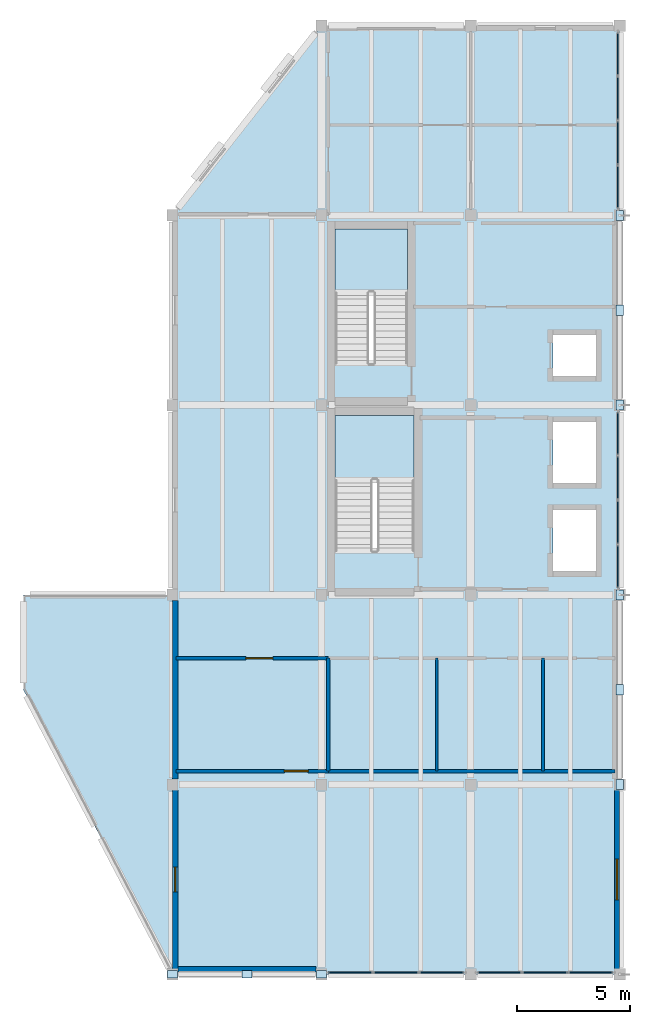
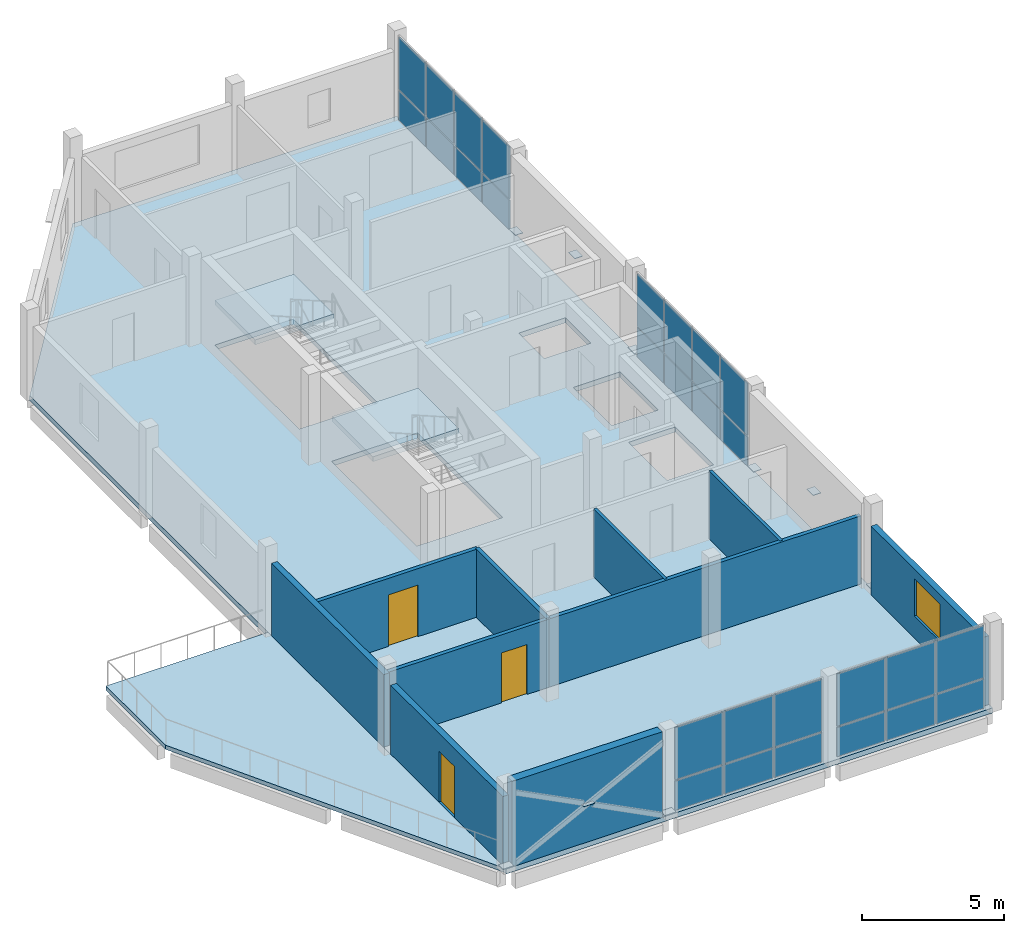
# One storey, part 4 of 9: 37 plates, 10 walls, 4 slabs, 3 doors, 1 window, 4 openings, 6 elements without a shape of their own.
"""IFC4 building model written with IfcOpenShell, lengths in metres."""

from ifc_helpers import new_model, si_unit, direction, frame, frame_2d, origin, origin_2d, place, context, subcontext, project, spatial, polyline, rectangle, outline, extrude, material, layer, layer_set, type_object, element, fill, aggregate, save


model = new_model("IFC4")

# Units and contexts
model_context = context("Model", 3, precision=1e-05, world=origin(), true_north=direction((0.0, 1.0)))
body_context = subcontext(model_context, "Body", "Model", "MODEL_VIEW")
ifc_project = project(units=[si_unit("LENGTHUNIT", "METRE"), si_unit("AREAUNIT", "SQUARE_METRE"), si_unit("VOLUMEUNIT", "CUBIC_METRE"), si_unit("PLANEANGLEUNIT", "RADIAN"), si_unit("MASSUNIT", "GRAM", prefix="KILO")], contexts=[model_context])

# Site, building, storey
site_placement = place(None, origin())
site = spatial("IfcSite", under=ifc_project, at=site_placement, CompositionType="ELEMENT")
building_placement = place(site_placement, origin())
building = spatial("IfcBuilding", under=site, at=building_placement, Name="Qaldarim Faculty of Natural and Applied Sciences", CompositionType="ELEMENT")
storey_placement = place(building_placement, frame((0.0, 0.0, 43.199951171875)))
storey = spatial("IfcBuildingStorey", under=building, at=storey_placement, Name="L10", CompositionType="ELEMENT", Elevation=43.199951171875)

# Plates
ifc_material_1 = material(Name="Structural steel S355", Category="steel")
ifc_layer_1 = layer(ifc_material_1, 0.02001953125)
ifc_layer_set_1 = layer_set([ifc_layer_1], Name="Structural steel S355")
plate_type_1 = type_object("IfcPlateType", Name="GussetPlate-S355-450x320x20", PredefinedType="SHEET", material=ifc_layer_set_1)
for number, where, z_axis, x_axis, name in (
    (1, (161.699951171875, 0.0, 1.679931640625), (0.0, 0.0, 1.0), (1.0, 0.0, 0.0), "South diagrid L10 X-crossing gusset plate"),
    (2, (158.39990234375, 0.0, 0.14013671875), (0.0, 0.0, 1.0), (1.0, 0.0, 0.0), "South diagrid L10 base gusset BL"),
    (3, (165.0, 0.0, 0.14013671875), (0.0, 0.0, 1.0), (1.0, 0.0, 0.0), "South diagrid L10 base gusset BR"),
    (4, (178.199951171875, 12.60009765625, 1.679931640625), (0.0, 0.0, 1.0), (0.0, 1.0, 0.0), "East diagrid L10 X-crossing gusset plate"),
    (5, (178.199951171875, 8.39990234375, 0.14013671875), (0.0, 0.0, 1.0), (0.0, 1.0, 0.0), "East diagrid L10 base gusset BL"),
    (6, (178.199951171875, 16.800048828125, 0.14013671875), (0.0, 0.0, 1.0), (0.0, 1.0, 0.0), "East diagrid L10 base gusset BR"),
    (7, (178.199951171875, 29.39990234375, 1.679931640625), (0.0, 0.0, 1.0), (0.0, 1.0, 0.0), "Upper east diagrid L10 X-crossing gusset plate"),
    (8, (178.199951171875, 25.199951171875, 0.14013671875), (0.0, 0.0, 1.0), (0.0, 1.0, 0.0), "Upper east diagrid L10 base gusset BL"),
    (9, (178.199951171875, 33.60009765625, 0.14013671875), (0.0, 0.0, 1.0), (0.0, 1.0, 0.0), "Upper east diagrid L10 base gusset BR"),
):
    element("IfcPlate", number, at=place(storey_placement, frame(where, z_axis=z_axis, x_axis=x_axis)), inside=storey, type_object=plate_type_1, Name=name, PredefinedType="SHEET", context=body_context, shape_type="SweptSolid", body=[
        extrude(rectangle(XDim=0.449951171875, YDim=0.320068359375, at=origin_2d()), origin(), (0.0, 0.0, 1.0), 0.02001953125),
    ])

# Curtain wall, plates
ifc_material_2 = material(Name="Anodised aluminium AW-6063", Category="aluminium")
curtain_wall_type = type_object("IfcCurtainWallType", Name="CurtainWallSystem-M1950", PredefinedType="USERDEFINED", material=ifc_material_2)
curtain_wall_1_placement = place(storey_placement, origin())
curtain_wall_1 = element("IfcCurtainWall", 10, at=curtain_wall_1_placement, inside=storey, type_object=curtain_wall_type, Name="Curtain wall CW-L10-S-X26Y01", ObjectType="UNITISED FACADE", PredefinedType="USERDEFINED")
ifc_material_3 = material(Name="White architectural precast concrete C40/50", Category="concrete")
ifc_layer_2 = layer(ifc_material_3, 0.050048828125)
ifc_layer_set_2 = layer_set([ifc_layer_2], Name="White architectural precast concrete C40/50")
plate_type_2 = type_object("IfcPlateType", Name="LimestoneSpandrelPanel-50", PredefinedType="CURTAIN_PANEL", material=ifc_layer_set_2)
plate_1_placement = place(storey_placement, frame((166.2783203125, 0.080078125, 0.06005859375), z_axis=(0.0, 0.0, 1.0), x_axis=(1.0, 0.0, 0.0)))
plate_1 = element("IfcPlate", 11, at=plate_1_placement, type_object=plate_type_2, Name="Glazed panel 1-1 of CW-L10-S-X26Y01", PredefinedType="CURTAIN_PANEL", context=body_context, shape_type="SweptSolid", body=[
    extrude(rectangle(XDim=1.94677734375, YDim=0.050048828125, at=origin_2d()), origin(), (0.0, 0.0, 1.0), 1.260009765625),
])
plate_2_placement = place(storey_placement, frame((166.2783203125, 0.080078125, 1.3798828125), z_axis=(0.0, 0.0, 1.0), x_axis=(1.0, 0.0, 0.0)))
plate_2 = element("IfcPlate", 12, at=plate_2_placement, type_object=plate_type_2, Name="Glazed panel 1-2 of CW-L10-S-X26Y01", PredefinedType="CURTAIN_PANEL", context=body_context, shape_type="SweptSolid", body=[
    extrude(rectangle(XDim=1.94677734375, YDim=0.050048828125, at=origin_2d()), origin(), (0.0, 0.0, 1.0), 2.239990234375),
])
plate_3_placement = place(storey_placement, frame((168.300048828125, 0.080078125, 0.06005859375), z_axis=(0.0, 0.0, 1.0), x_axis=(1.0, 0.0, 0.0)))
plate_3 = element("IfcPlate", 13, at=plate_3_placement, type_object=plate_type_2, Name="Glazed panel 2-1 of CW-L10-S-X26Y01", PredefinedType="CURTAIN_PANEL", context=body_context, shape_type="SweptSolid", body=[
    extrude(rectangle(XDim=1.976806640625, YDim=0.050048828125, at=origin_2d()), origin(), (0.0, 0.0, 1.0), 1.260009765625),
])
plate_4_placement = place(storey_placement, frame((168.300048828125, 0.080078125, 1.3798828125), z_axis=(0.0, 0.0, 1.0), x_axis=(1.0, 0.0, 0.0)))
plate_4 = element("IfcPlate", 14, at=plate_4_placement, type_object=plate_type_2, Name="Glazed panel 2-2 of CW-L10-S-X26Y01", PredefinedType="CURTAIN_PANEL", context=body_context, shape_type="SweptSolid", body=[
    extrude(rectangle(XDim=1.976806640625, YDim=0.050048828125, at=origin_2d()), origin(), (0.0, 0.0, 1.0), 2.239990234375),
])
plate_5_placement = place(storey_placement, frame((170.32177734375, 0.080078125, 0.06005859375), z_axis=(0.0, 0.0, 1.0), x_axis=(1.0, 0.0, 0.0)))
plate_5 = element("IfcPlate", 15, at=plate_5_placement, type_object=plate_type_2, Name="Glazed panel 3-1 of CW-L10-S-X26Y01", PredefinedType="CURTAIN_PANEL", context=body_context, shape_type="SweptSolid", body=[
    extrude(rectangle(XDim=1.94677734375, YDim=0.050048828125, at=origin_2d()), origin(), (0.0, 0.0, 1.0), 1.260009765625),
])
plate_6_placement = place(storey_placement, frame((170.32177734375, 0.080078125, 1.3798828125), z_axis=(0.0, 0.0, 1.0), x_axis=(1.0, 0.0, 0.0)))
plate_6 = element("IfcPlate", 16, at=plate_6_placement, type_object=plate_type_2, Name="Glazed panel 3-2 of CW-L10-S-X26Y01", PredefinedType="CURTAIN_PANEL", context=body_context, shape_type="SweptSolid", body=[
    extrude(rectangle(XDim=1.94677734375, YDim=0.050048828125, at=origin_2d()), origin(), (0.0, 0.0, 1.0), 2.239990234375),
])
aggregate(curtain_wall_1, [plate_1, plate_2, plate_3, plate_4, plate_5, plate_6])

curtain_wall_2_placement = place(storey_placement, origin())
curtain_wall_2 = element("IfcCurtainWall", 17, at=curtain_wall_2_placement, inside=storey, type_object=curtain_wall_type, Name="Curtain wall CW-L10-S-X27Y01", ObjectType="UNITISED FACADE", PredefinedType="USERDEFINED")
plate_7_placement = place(storey_placement, frame((172.87841796875, 0.080078125, 0.06005859375), z_axis=(0.0, 0.0, 1.0), x_axis=(1.0, 0.0, 0.0)))
plate_7 = element("IfcPlate", 18, at=plate_7_placement, type_object=plate_type_2, Name="Glazed panel 1-1 of CW-L10-S-X27Y01", PredefinedType="CURTAIN_PANEL", context=body_context, shape_type="SweptSolid", body=[
    extrude(rectangle(XDim=1.94677734375, YDim=0.050048828125, at=origin_2d()), origin(), (0.0, 0.0, 1.0), 1.260009765625),
])
plate_8_placement = place(storey_placement, frame((172.87841796875, 0.080078125, 1.3798828125), z_axis=(0.0, 0.0, 1.0), x_axis=(1.0, 0.0, 0.0)))
plate_8 = element("IfcPlate", 19, at=plate_8_placement, type_object=plate_type_2, Name="Glazed panel 1-2 of CW-L10-S-X27Y01", PredefinedType="CURTAIN_PANEL", context=body_context, shape_type="SweptSolid", body=[
    extrude(rectangle(XDim=1.94677734375, YDim=0.050048828125, at=origin_2d()), origin(), (0.0, 0.0, 1.0), 2.239990234375),
])
plate_9_placement = place(storey_placement, frame((174.89990234375, 0.080078125, 0.06005859375), z_axis=(0.0, 0.0, 1.0), x_axis=(1.0, 0.0, 0.0)))
plate_9 = element("IfcPlate", 20, at=plate_9_placement, type_object=plate_type_2, Name="Glazed panel 2-1 of CW-L10-S-X27Y01", PredefinedType="CURTAIN_PANEL", context=body_context, shape_type="SweptSolid", body=[
    extrude(rectangle(XDim=1.976806640625, YDim=0.050048828125, at=origin_2d()), origin(), (0.0, 0.0, 1.0), 1.260009765625),
])
plate_10_placement = place(storey_placement, frame((174.89990234375, 0.080078125, 1.3798828125), z_axis=(0.0, 0.0, 1.0), x_axis=(1.0, 0.0, 0.0)))
plate_10 = element("IfcPlate", 21, at=plate_10_placement, type_object=plate_type_2, Name="Glazed panel 2-2 of CW-L10-S-X27Y01", PredefinedType="CURTAIN_PANEL", context=body_context, shape_type="SweptSolid", body=[
    extrude(rectangle(XDim=1.976806640625, YDim=0.050048828125, at=origin_2d()), origin(), (0.0, 0.0, 1.0), 2.239990234375),
])
plate_11_placement = place(storey_placement, frame((176.921630859375, 0.080078125, 0.06005859375), z_axis=(0.0, 0.0, 1.0), x_axis=(1.0, 0.0, 0.0)))
plate_11 = element("IfcPlate", 22, at=plate_11_placement, type_object=plate_type_2, Name="Glazed panel 3-1 of CW-L10-S-X27Y01", PredefinedType="CURTAIN_PANEL", context=body_context, shape_type="SweptSolid", body=[
    extrude(rectangle(XDim=1.94677734375, YDim=0.050048828125, at=origin_2d()), origin(), (0.0, 0.0, 1.0), 1.260009765625),
])
plate_12_placement = place(storey_placement, frame((176.921630859375, 0.080078125, 1.3798828125), z_axis=(0.0, 0.0, 1.0), x_axis=(1.0, 0.0, 0.0)))
plate_12 = element("IfcPlate", 23, at=plate_12_placement, type_object=plate_type_2, Name="Glazed panel 3-2 of CW-L10-S-X27Y01", PredefinedType="CURTAIN_PANEL", context=body_context, shape_type="SweptSolid", body=[
    extrude(rectangle(XDim=1.94677734375, YDim=0.050048828125, at=origin_2d()), origin(), (0.0, 0.0, 1.0), 2.239990234375),
])
aggregate(curtain_wall_2, [plate_7, plate_8, plate_9, plate_10, plate_11, plate_12])

curtain_wall_3_placement = place(storey_placement, origin())
curtain_wall_3 = element("IfcCurtainWall", 24, at=curtain_wall_3_placement, inside=storey, type_object=curtain_wall_type, Name="Curtain wall CW-L10-E-X27Y03", ObjectType="UNITISED FACADE", PredefinedType="USERDEFINED")
plate_13_placement = place(storey_placement, frame((178.1201171875, 18.048828125, 0.06005859375), z_axis=(0.0, 0.0, 1.0), x_axis=(0.0, 1.0, 0.0)))
plate_13 = element("IfcPlate", 25, at=plate_13_placement, type_object=plate_type_2, Name="Glazed panel 1-1 of CW-L10-E-X27Y03", PredefinedType="CURTAIN_PANEL", context=body_context, shape_type="SweptSolid", body=[
    extrude(rectangle(XDim=1.887451171875, YDim=0.050048828125, at=origin_2d()), origin(), (0.0, 0.0, 1.0), 1.260009765625),
])
plate_14_placement = place(storey_placement, frame((178.1201171875, 18.048828125, 1.3798828125), z_axis=(0.0, 0.0, 1.0), x_axis=(0.0, 1.0, 0.0)))
plate_14 = element("IfcPlate", 26, at=plate_14_placement, type_object=plate_type_2, Name="Glazed panel 1-2 of CW-L10-E-X27Y03", PredefinedType="CURTAIN_PANEL", context=body_context, shape_type="SweptSolid", body=[
    extrude(rectangle(XDim=1.887451171875, YDim=0.050048828125, at=origin_2d()), origin(), (0.0, 0.0, 1.0), 2.239990234375),
])
plate_15_placement = place(storey_placement, frame((178.1201171875, 20.01123046875, 0.06005859375), z_axis=(0.0, 0.0, 1.0), x_axis=(0.0, 1.0, 0.0)))
plate_15 = element("IfcPlate", 27, at=plate_15_placement, type_object=plate_type_2, Name="Glazed panel 2-1 of CW-L10-E-X27Y03", PredefinedType="CURTAIN_PANEL", context=body_context, shape_type="SweptSolid", body=[
    extrude(rectangle(XDim=1.91748046875, YDim=0.050048828125, at=origin_2d()), origin(), (0.0, 0.0, 1.0), 1.260009765625),
])
plate_16_placement = place(storey_placement, frame((178.1201171875, 20.01123046875, 1.3798828125), z_axis=(0.0, 0.0, 1.0), x_axis=(0.0, 1.0, 0.0)))
plate_16 = element("IfcPlate", 28, at=plate_16_placement, type_object=plate_type_2, Name="Glazed panel 2-2 of CW-L10-E-X27Y03", PredefinedType="CURTAIN_PANEL", context=body_context, shape_type="SweptSolid", body=[
    extrude(rectangle(XDim=1.91748046875, YDim=0.050048828125, at=origin_2d()), origin(), (0.0, 0.0, 1.0), 2.239990234375),
])
plate_17_placement = place(storey_placement, frame((178.1201171875, 21.98876953125, 0.06005859375), z_axis=(0.0, 0.0, 1.0), x_axis=(0.0, 1.0, 0.0)))
plate_17 = element("IfcPlate", 29, at=plate_17_placement, type_object=plate_type_2, Name="Glazed panel 3-1 of CW-L10-E-X27Y03", PredefinedType="CURTAIN_PANEL", context=body_context, shape_type="SweptSolid", body=[
    extrude(rectangle(XDim=1.91748046875, YDim=0.050048828125, at=origin_2d()), origin(), (0.0, 0.0, 1.0), 1.260009765625),
])
plate_18_placement = place(storey_placement, frame((178.1201171875, 21.98876953125, 1.3798828125), z_axis=(0.0, 0.0, 1.0), x_axis=(0.0, 1.0, 0.0)))
plate_18 = element("IfcPlate", 30, at=plate_18_placement, type_object=plate_type_2, Name="Glazed panel 3-2 of CW-L10-E-X27Y03", PredefinedType="CURTAIN_PANEL", context=body_context, shape_type="SweptSolid", body=[
    extrude(rectangle(XDim=1.91748046875, YDim=0.050048828125, at=origin_2d()), origin(), (0.0, 0.0, 1.0), 2.239990234375),
])
plate_19_placement = place(storey_placement, frame((178.1201171875, 23.951171875, 0.06005859375), z_axis=(0.0, 0.0, 1.0), x_axis=(0.0, 1.0, 0.0)))
plate_19 = element("IfcPlate", 31, at=plate_19_placement, type_object=plate_type_2, Name="Glazed panel 4-1 of CW-L10-E-X27Y03", PredefinedType="CURTAIN_PANEL", context=body_context, shape_type="SweptSolid", body=[
    extrude(rectangle(XDim=1.887451171875, YDim=0.050048828125, at=origin_2d()), origin(), (0.0, 0.0, 1.0), 1.260009765625),
])
plate_20_placement = place(storey_placement, frame((178.1201171875, 23.951171875, 1.3798828125), z_axis=(0.0, 0.0, 1.0), x_axis=(0.0, 1.0, 0.0)))
plate_20 = element("IfcPlate", 32, at=plate_20_placement, type_object=plate_type_2, Name="Glazed panel 4-2 of CW-L10-E-X27Y03", PredefinedType="CURTAIN_PANEL", context=body_context, shape_type="SweptSolid", body=[
    extrude(rectangle(XDim=1.887451171875, YDim=0.050048828125, at=origin_2d()), origin(), (0.0, 0.0, 1.0), 2.239990234375),
])
aggregate(curtain_wall_3, [plate_13, plate_14, plate_15, plate_16, plate_17, plate_18, plate_19, plate_20])

curtain_wall_4_placement = place(storey_placement, origin())
curtain_wall_4 = element("IfcCurtainWall", 33, at=curtain_wall_4_placement, inside=storey, type_object=curtain_wall_type, Name="Curtain wall CW-L10-E-X27Y05", ObjectType="UNITISED FACADE", PredefinedType="USERDEFINED")
plate_21_placement = place(storey_placement, frame((178.1201171875, 34.848876953125, 0.06005859375), z_axis=(0.0, 0.0, 1.0), x_axis=(0.0, 1.0, 0.0)))
plate_21 = element("IfcPlate", 34, at=plate_21_placement, type_object=plate_type_2, Name="Glazed panel 1-1 of CW-L10-E-X27Y05", PredefinedType="CURTAIN_PANEL", context=body_context, shape_type="SweptSolid", body=[
    extrude(rectangle(XDim=1.887451171875, YDim=0.050048828125, at=origin_2d()), origin(), (0.0, 0.0, 1.0), 1.260009765625),
])
plate_22_placement = place(storey_placement, frame((178.1201171875, 34.848876953125, 1.3798828125), z_axis=(0.0, 0.0, 1.0), x_axis=(0.0, 1.0, 0.0)))
plate_22 = element("IfcPlate", 35, at=plate_22_placement, type_object=plate_type_2, Name="Glazed panel 1-2 of CW-L10-E-X27Y05", PredefinedType="CURTAIN_PANEL", context=body_context, shape_type="SweptSolid", body=[
    extrude(rectangle(XDim=1.887451171875, YDim=0.050048828125, at=origin_2d()), origin(), (0.0, 0.0, 1.0), 2.239990234375),
])
plate_23_placement = place(storey_placement, frame((178.1201171875, 36.811279296875, 0.06005859375), z_axis=(0.0, 0.0, 1.0), x_axis=(0.0, 1.0, 0.0)))
plate_23 = element("IfcPlate", 36, at=plate_23_placement, type_object=plate_type_2, Name="Glazed panel 2-1 of CW-L10-E-X27Y05", PredefinedType="CURTAIN_PANEL", context=body_context, shape_type="SweptSolid", body=[
    extrude(rectangle(XDim=1.91748046875, YDim=0.050048828125, at=origin_2d()), origin(), (0.0, 0.0, 1.0), 1.260009765625),
])
plate_24_placement = place(storey_placement, frame((178.1201171875, 36.811279296875, 1.3798828125), z_axis=(0.0, 0.0, 1.0), x_axis=(0.0, 1.0, 0.0)))
plate_24 = element("IfcPlate", 37, at=plate_24_placement, type_object=plate_type_2, Name="Glazed panel 2-2 of CW-L10-E-X27Y05", PredefinedType="CURTAIN_PANEL", context=body_context, shape_type="SweptSolid", body=[
    extrude(rectangle(XDim=1.91748046875, YDim=0.050048828125, at=origin_2d()), origin(), (0.0, 0.0, 1.0), 2.239990234375),
])
plate_25_placement = place(storey_placement, frame((178.1201171875, 38.788818359375, 0.06005859375), z_axis=(0.0, 0.0, 1.0), x_axis=(0.0, 1.0, 0.0)))
plate_25 = element("IfcPlate", 38, at=plate_25_placement, type_object=plate_type_2, Name="Glazed panel 3-1 of CW-L10-E-X27Y05", PredefinedType="CURTAIN_PANEL", context=body_context, shape_type="SweptSolid", body=[
    extrude(rectangle(XDim=1.91748046875, YDim=0.050048828125, at=origin_2d()), origin(), (0.0, 0.0, 1.0), 1.260009765625),
])
plate_26_placement = place(storey_placement, frame((178.1201171875, 38.788818359375, 1.3798828125), z_axis=(0.0, 0.0, 1.0), x_axis=(0.0, 1.0, 0.0)))
plate_26 = element("IfcPlate", 39, at=plate_26_placement, type_object=plate_type_2, Name="Glazed panel 3-2 of CW-L10-E-X27Y05", PredefinedType="CURTAIN_PANEL", context=body_context, shape_type="SweptSolid", body=[
    extrude(rectangle(XDim=1.91748046875, YDim=0.050048828125, at=origin_2d()), origin(), (0.0, 0.0, 1.0), 2.239990234375),
])
plate_27_placement = place(storey_placement, frame((178.1201171875, 40.751220703125, 0.06005859375), z_axis=(0.0, 0.0, 1.0), x_axis=(0.0, 1.0, 0.0)))
plate_27 = element("IfcPlate", 40, at=plate_27_placement, type_object=plate_type_2, Name="Glazed panel 4-1 of CW-L10-E-X27Y05", PredefinedType="CURTAIN_PANEL", context=body_context, shape_type="SweptSolid", body=[
    extrude(rectangle(XDim=1.887451171875, YDim=0.050048828125, at=origin_2d()), origin(), (0.0, 0.0, 1.0), 1.260009765625),
])
plate_28_placement = place(storey_placement, frame((178.1201171875, 40.751220703125, 1.3798828125), z_axis=(0.0, 0.0, 1.0), x_axis=(0.0, 1.0, 0.0)))
plate_28 = element("IfcPlate", 41, at=plate_28_placement, type_object=plate_type_2, Name="Glazed panel 4-2 of CW-L10-E-X27Y05", PredefinedType="CURTAIN_PANEL", context=body_context, shape_type="SweptSolid", body=[
    extrude(rectangle(XDim=1.887451171875, YDim=0.050048828125, at=origin_2d()), origin(), (0.0, 0.0, 1.0), 2.239990234375),
])
aggregate(curtain_wall_4, [plate_21, plate_22, plate_23, plate_24, plate_25, plate_26, plate_27, plate_28])

# Slab
ifc_material_4 = material(Name="Concrete C40/50", Category="concrete")
ifc_layer_3 = layer(ifc_material_4, 0.219970703125)
ifc_layer_set_3 = layer_set([ifc_layer_3], Name="Concrete C40/50")
slab_type_1 = type_object("IfcSlabType", Name="ResearchWingSlab-220", PredefinedType="FLOOR", material=ifc_layer_set_3)
slab_1_placement = place(storey_placement, frame((0.0, 0.0, -0.219970703125)))
element("IfcSlab", 42, at=slab_1_placement, inside=storey, type_object=slab_type_1, Name="Floor slab L10 V5", PredefinedType="FLOOR", context=body_context, shape_type="SweptSolid", body=[
    extrude(outline(polyline([(158.39990234375, 0.0), (178.199951171875, 0.0), (178.199951171875, 42.0), (165.0, 42.0), (158.39990234375, 33.60009765625), (158.39990234375, 8.39990234375), (158.39990234375, 0.0)]), holes=[polyline([(169.10009765625, 18.764892578125), (169.10009765625, 24.77490234375), (165.60009765625, 24.77490234375), (165.60009765625, 18.764892578125), (169.10009765625, 18.764892578125)]), polyline([(168.800048828125, 27.06494140625), (168.800048828125, 33.02490234375), (165.60009765625, 33.02490234375), (165.60009765625, 27.06494140625), (168.800048828125, 27.06494140625)]), polyline([(175.25, 17.85009765625), (177.14990234375, 17.85009765625), (177.14990234375, 20.550048828125), (175.25, 20.550048828125), (175.25, 17.85009765625)]), polyline([(175.25, 21.75), (177.14990234375, 21.75), (177.14990234375, 24.449951171875), (175.25, 24.449951171875), (175.25, 21.75)]), polyline([(175.25, 26.5), (177.14990234375, 26.5), (177.14990234375, 28.300048828125), (175.25, 28.300048828125), (175.25, 26.5)])]), origin(), (0.0, 0.0, 1.0), 0.219970703125),
])

# Stair, slab
stair_type_1 = type_object("IfcStairType", Name="DoglegStair-W1650-H3900-24R", PredefinedType="HALF_TURN_STAIR", material=ifc_material_4)
stair_1_placement = place(storey_placement, origin())
stair_1 = element("IfcStair", 43, at=stair_1_placement, inside=storey, type_object=stair_type_1, Name="Enclosed exit stair ST-A1 L10", PredefinedType="HALF_TURN_STAIR")
ifc_layer_4 = layer(ifc_material_4, 0.2099609375)
ifc_layer_set_4 = layer_set([ifc_layer_4], Name="Concrete C40/50")
slab_type_2 = type_object("IfcSlabType", Name="StairLandingSlab-210", PredefinedType="LANDING", material=ifc_layer_set_4)
slab_2_placement = place(storey_placement, frame((0.0, 0.0, 1.739990234375)))
slab_2 = element("IfcSlab", 44, at=slab_2_placement, type_object=slab_type_2, Name="ST-A1 L10 half-landing 1", PredefinedType="LANDING", context=body_context, shape_type="SweptSolid", body=[
    extrude(outline(polyline([(169.10009765625, 21.8701171875), (169.10009765625, 24.75), (165.60009765625, 24.75), (165.60009765625, 21.8701171875), (169.10009765625, 21.8701171875)])), origin(), (0.0, 0.0, 1.0), 0.2099609375),
])
aggregate(stair_1, [slab_2])

stair_type_2 = type_object("IfcStairType", Name="DoglegStair-W1500-H3900-24R", PredefinedType="HALF_TURN_STAIR", material=ifc_material_4)
stair_2_placement = place(storey_placement, origin())
stair_2 = element("IfcStair", 45, at=stair_2_placement, inside=storey, type_object=stair_type_2, Name="Enclosed exit stair ST-A2 L10", PredefinedType="HALF_TURN_STAIR")
slab_3_placement = place(storey_placement, frame((0.0, 0.0, 1.739990234375)))
slab_3 = element("IfcSlab", 46, at=slab_3_placement, type_object=slab_type_2, Name="ST-A2 L10 half-landing 1", PredefinedType="LANDING", context=body_context, shape_type="SweptSolid", body=[
    extrude(outline(polyline([(168.800048828125, 30.169921875), (168.800048828125, 33.0), (165.60009765625, 33.0), (165.60009765625, 30.169921875), (168.800048828125, 30.169921875)])), origin(), (0.0, 0.0, 1.0), 0.2099609375),
])
aggregate(stair_2, [slab_3])

# Slab
ifc_layer_5 = layer(ifc_material_4, 0.179931640625)
ifc_layer_set_5 = layer_set([ifc_layer_5], Name="Concrete C40/50")
slab_type_3 = type_object("IfcSlabType", Name="TerraceBalconySlab-180", PredefinedType="FLOOR", material=ifc_layer_set_5)
slab_4_placement = place(storey_placement, frame((0.0, 0.0, -0.179931640625)))
element("IfcSlab", 47, at=slab_4_placement, inside=storey, type_object=slab_type_3, Name="Academic outdoor terrace L10 V5-SOUTH-TERRACE", PredefinedType="FLOOR", context=body_context, shape_type="SweptSolid", body=[
    extrude(outline(polyline([(158.39990234375, 0.0), (158.39990234375, 16.800048828125), (151.800048828125, 16.800048828125), (151.800048828125, 12.60009765625), (158.39990234375, 0.0)])), origin(), (0.0, 0.0, 1.0), 0.179931640625),
])

# Walls
ifc_material_5 = material(Name="Painted gypsum partition board")
ifc_layer_6 = layer(ifc_material_5, 0.1201171875)
ifc_layer_set_6 = layer_set([ifc_layer_6], Name="Painted gypsum partition board")
wall_type_1 = type_object("IfcWallType", Name="AcousticPartition-120", PredefinedType="PARTITIONING", material=ifc_layer_set_6)
for number, where, z_axis, x_axis, name in (
    (48, (170.10009765625, 9.0, 0.0), (0.0, 0.0, 1.0), (0.0, 1.0, 0.0), "Interior partition PRT-L10-V5-WCD1"),
    (49, (174.800048828125, 9.0, 0.0), (0.0, 0.0, 1.0), (0.0, 1.0, 0.0), "Interior partition PRT-L10-V5-WCD2"),
):
    element("IfcWall", number, at=place(storey_placement, frame(where, z_axis=z_axis, x_axis=x_axis)), inside=storey, type_object=wall_type_1, Name=name, PredefinedType="PARTITIONING", context=body_context, shape_type="SweptSolid", body=[
        extrude(rectangle(XDim=5.0, YDim=0.1201171875, at=frame_2d((2.5, 0.0))), origin(), (0.0, 0.0, 1.0), 2.929931640625),
    ])

# Wall, opening, door
ifc_material_6 = material(Name="Precast concrete C40/50", Category="concrete")
ifc_layer_7 = layer(ifc_material_6, 0.239990234375)
ifc_layer_set_7 = layer_set([ifc_layer_7], Name="Precast concrete C40/50")
wall_type_2 = type_object("IfcWallType", Name="ExteriorInsulatedWall-240", PredefinedType="SOLIDWALL", material=ifc_layer_set_7)
wall_1_placement = place(storey_placement, frame((158.52001953125, 8.155029296875, 0.0), z_axis=(0.0, 0.0, 1.0), x_axis=(0.0, -1.0, 0.0)))
wall_1 = element("IfcWall", 50, at=wall_1_placement, inside=storey, type_object=wall_type_2, Name="Exterior wall EW03 L10 W X25Y01", PredefinedType="SOLIDWALL", context=body_context, shape_type="SweptSolid", body=[
    extrude(rectangle(XDim=7.909912109375, YDim=0.239990234375, at=frame_2d((3.955078125, 0.0))), origin(), (0.0, 0.0, 1.0), 2.965087890625),
])
opening_1_placement = place(wall_1_placement, frame((3.405029296875, 0.0, 0.0)))
opening_1 = element("IfcOpeningElement", 51, at=opening_1_placement, cuts=wall_1, Name="Opening ED03", PredefinedType="OPENING", context=body_context, shape_type="SweptSolid", body=[
    extrude(rectangle(XDim=1.10009765625, YDim=2.199951171875, at=frame_2d((0.550048828125, 1.10009765625))), frame((0.0, 0.1298828125, 0.0), z_axis=(0.0, -1.0, 0.0), x_axis=(1.0, 0.0, 0.0)), (0.0, 0.0, 1.0), 0.260009765625),
])
door_type_1 = type_object("IfcDoorType", Name="TerraceAccessDoor-1100x2200", OperationType="NOTDEFINED", PredefinedType="DOOR", material=ifc_material_2)
door_1_placement = place(opening_1_placement, frame((1.10009765625, 0.0, 0.0), z_axis=(0.0, 0.0, 1.0), x_axis=(-1.0, 0.0, 0.0)))
door_1 = element("IfcDoor", 52, at=door_1_placement, inside=storey, type_object=door_type_1, Name="Terrace access door D-L10-031", OperationType="SINGLE_SWING_LEFT", OverallHeight=2.199951171875, OverallWidth=1.10009765625, PredefinedType="DOOR", context=body_context, shape_type="SweptSolid", body=[
    extrude(rectangle(XDim=1.10009765625, YDim=2.199951171875, at=frame_2d((0.550048828125, 1.10009765625))), frame((0.0, 0.02490234375, 0.0), z_axis=(0.0, -1.0, 0.0), x_axis=(1.0, 0.0, 0.0)), (0.0, 0.0, 1.0), 0.050048828125),
])
fill(opening_1, door_1)

# Wall
wall_2_placement = place(storey_placement, frame((158.52001953125, 16.554931640625, 0.0), z_axis=(0.0, 0.0, 1.0), x_axis=(0.0, -1.0, 0.0)))
element("IfcWall", 53, at=wall_2_placement, inside=storey, type_object=wall_type_2, Name="Exterior wall EW03 L10 W X25Y02", PredefinedType="SOLIDWALL", context=body_context, shape_type="SweptSolid", body=[
    extrude(rectangle(XDim=7.909912109375, YDim=0.239990234375, at=frame_2d((3.955078125, 0.0))), origin(), (0.0, 0.0, 1.0), 3.114990234375),
])

# Wall, opening, window
wall_3_placement = place(storey_placement, frame((178.080078125, 0.2451171875, 0.0), z_axis=(0.0, 0.0, 1.0), x_axis=(0.0, 1.0, 0.0)))
wall_3 = element("IfcWall", 54, at=wall_3_placement, inside=storey, type_object=wall_type_2, Name="Exterior wall EW03 L10 E X27Y01", PredefinedType="SOLIDWALL", context=body_context, shape_type="SweptSolid", body=[
    extrude(rectangle(XDim=7.909912109375, YDim=0.239990234375, at=frame_2d((3.955078125, 0.0))), origin(), (0.0, 0.0, 1.0), 2.965087890625),
])
opening_2_placement = place(wall_3_placement, frame((3.054931640625, 0.0, 0.949951171875)))
opening_2 = element("IfcOpeningElement", 55, at=opening_2_placement, cuts=wall_3, Name="Opening WN02", PredefinedType="OPENING", context=body_context, shape_type="SweptSolid", body=[
    extrude(rectangle(XDim=1.800048828125, YDim=1.60009765625, at=frame_2d((0.89990234375, 0.800048828125))), frame((0.0, 0.1298828125, 0.0), z_axis=(0.0, -1.0, 0.0), x_axis=(1.0, 0.0, 0.0)), (0.0, 0.0, 1.0), 0.260009765625),
])
ifc_material_7 = material(Name="Insulated low-e double glazing", Category="glass")
window_type = type_object("IfcWindowType", Name="Window-1800x1600", PartitioningType="DOUBLE_PANEL_VERTICAL", PredefinedType="WINDOW", material=ifc_material_7)
window_placement = place(opening_2_placement, origin())
window = element("IfcWindow", 56, at=window_placement, inside=storey, type_object=window_type, Name="Facade window WN02 L10 E X27Y01", OverallHeight=1.60009765625, OverallWidth=1.800048828125, PartitioningType="SINGLE_PANEL", PredefinedType="WINDOW", context=body_context, shape_type="SweptSolid", body=[
    extrude(rectangle(XDim=1.800048828125, YDim=1.60009765625, at=frame_2d((0.89990234375, 0.800048828125))), frame((0.0, 0.030029296875, 0.0), z_axis=(0.0, -1.0, 0.0), x_axis=(1.0, 0.0, 0.0)), (0.0, 0.0, 1.0), 0.06005859375),
])
fill(opening_2, window)

# Walls
ifc_material_8 = material(Name="Concrete C50/60", Category="concrete")
ifc_layer_8 = layer(ifc_material_8, 0.340087890625)
ifc_layer_set_8 = layer_set([ifc_layer_8], Name="Concrete C50/60")
wall_type_3 = type_object("IfcWallType", Name="ExteriorStairShearWall-340", PredefinedType="SHEAR", material=ifc_layer_set_8)
wall_4_placement = place(storey_placement, frame((158.64501953125, 0.169921875, 0.0), z_axis=(0.0, 0.0, 1.0), x_axis=(1.0, 0.0, 0.0)))
element("IfcWall", 57, at=wall_4_placement, inside=storey, type_object=wall_type_3, Name="Exterior wall EW05 L10 S X25Y01", PredefinedType="SHEAR", context=body_context, shape_type="SweptSolid", body=[
    extrude(rectangle(XDim=6.10986328125, YDim=0.340087890625, at=frame_2d((3.054931640625, 0.0))), origin(), (0.0, 0.0, 1.0), 3.679931640625),
])
ifc_layer_9 = layer(ifc_material_4, 0.159912109375)
ifc_layer_set_9 = layer_set([ifc_layer_9], Name="Concrete C40/50")
wall_type_4 = type_object("IfcWallType", Name="FireCorridorWall-160", PredefinedType="PARTITIONING", material=ifc_layer_set_9)
wall_5_placement = place(storey_placement, frame((165.300048828125, 9.0, 0.0), z_axis=(0.0, 0.0, 1.0), x_axis=(1.0, 0.0, 0.0)))
element("IfcWall", 58, at=wall_5_placement, inside=storey, type_object=wall_type_4, Name="Interior partition PRT-L10-V5-WCS", PredefinedType="PARTITIONING", context=body_context, shape_type="SweptSolid", body=[
    extrude(rectangle(XDim=12.699951171875, YDim=0.159912109375, at=frame_2d((6.35009765625, 0.0))), origin(), (0.0, 0.0, 1.0), 2.929931640625),
])
wall_6_placement = place(storey_placement, frame((165.300048828125, 9.0, 0.0), z_axis=(0.0, 0.0, 1.0), x_axis=(0.0, 1.0, 0.0)))
element("IfcWall", 59, at=wall_6_placement, inside=storey, type_object=wall_type_4, Name="Interior partition PRT-L10-V5-WCW", PredefinedType="PARTITIONING", context=body_context, shape_type="SweptSolid", body=[
    extrude(rectangle(XDim=5.0, YDim=0.159912109375, at=frame_2d((2.5, 0.0))), origin(), (0.0, 0.0, 1.0), 2.929931640625),
])

# Wall, opening, door
wall_7_placement = place(storey_placement, frame((158.550048828125, 9.0, 0.0), z_axis=(0.0, 0.0, 1.0), x_axis=(1.0, 0.0, 0.0)))
wall_7 = element("IfcWall", 60, at=wall_7_placement, inside=storey, type_object=wall_type_4, Name="Interior partition PRT-L10-U-SW", PredefinedType="PARTITIONING", context=body_context, shape_type="SweptSolid", body=[
    extrude(rectangle(XDim=6.75, YDim=0.159912109375, at=frame_2d((3.375, 0.0))), origin(), (0.0, 0.0, 1.0), 2.929931640625),
])
opening_3_placement = place(wall_7_placement, frame((4.800048828125, 0.0, 0.0)))
opening_3 = element("IfcOpeningElement", 61, at=opening_3_placement, cuts=wall_7, Name="Opening ID02", PredefinedType="OPENING", context=body_context, shape_type="SweptSolid", body=[
    extrude(rectangle(XDim=1.050048828125, YDim=2.14990234375, at=frame_2d((0.52490234375, 1.074951171875))), frame((0.0, 0.08984375, 0.0), z_axis=(0.0, -1.0, 0.0), x_axis=(1.0, 0.0, 0.0)), (0.0, 0.0, 1.0), 0.179931640625),
])
ifc_material_9 = material(Name="Oak hardwood", Category="wood")
door_type_2 = type_object("IfcDoorType", Name="AccessibleRoomDoor-1050x2150", OperationType="NOTDEFINED", PredefinedType="DOOR", material=ifc_material_9)
door_2_placement = place(opening_3_placement, origin())
door_2 = element("IfcDoor", 62, at=door_2_placement, inside=storey, type_object=door_type_2, Name="Interior door D-L10-286", OperationType="SINGLE_SWING_LEFT", OverallHeight=2.14990234375, OverallWidth=1.050048828125, PredefinedType="DOOR", context=body_context, shape_type="SweptSolid", body=[
    extrude(rectangle(XDim=1.050048828125, YDim=2.14990234375, at=frame_2d((0.52490234375, 1.074951171875))), frame((0.0, 0.02490234375, 0.0), z_axis=(0.0, -1.0, 0.0), x_axis=(1.0, 0.0, 0.0)), (0.0, 0.0, 1.0), 0.050048828125),
])
fill(opening_3, door_2)

wall_8_placement = place(storey_placement, frame((158.550048828125, 14.0, 0.0), z_axis=(0.0, 0.0, 1.0), x_axis=(1.0, 0.0, 0.0)))
wall_8 = element("IfcWall", 63, at=wall_8_placement, inside=storey, type_object=wall_type_4, Name="Interior partition PRT-L10-V5-MIDN", PredefinedType="PARTITIONING", context=body_context, shape_type="SweptSolid", body=[
    extrude(rectangle(XDim=6.75, YDim=0.159912109375, at=frame_2d((3.375, 0.0))), origin(), (0.0, 0.0, 1.0), 2.929931640625),
])
opening_4_placement = place(wall_8_placement, frame((3.10009765625, 0.0, 0.0)))
opening_4 = element("IfcOpeningElement", 64, at=opening_4_placement, cuts=wall_8, Name="Opening ID17", PredefinedType="OPENING", context=body_context, shape_type="SweptSolid", body=[
    extrude(rectangle(XDim=1.199951171875, YDim=2.219970703125, at=frame_2d((0.60009765625, 1.10986328125))), frame((0.0, 0.08984375, 0.0), z_axis=(0.0, -1.0, 0.0), x_axis=(1.0, 0.0, 0.0)), (0.0, 0.0, 1.0), 0.179931640625),
])
ifc_material_10 = material(Name="Architectural stainless steel 316", Category="steel")
door_type_3 = type_object("IfcDoorType", Name="InstrumentLabDoor-1200x2220", OperationType="NOTDEFINED", PredefinedType="DOOR", material=ifc_material_10)
door_3_placement = place(opening_4_placement, origin())
door_3 = element("IfcDoor", 65, at=door_3_placement, inside=storey, type_object=door_type_3, Name="Interior door D-L10-425", OperationType="SINGLE_SWING_LEFT", OverallHeight=2.219970703125, OverallWidth=1.199951171875, PredefinedType="DOOR", context=body_context, shape_type="SweptSolid", body=[
    extrude(rectangle(XDim=1.199951171875, YDim=2.219970703125, at=frame_2d((0.60009765625, 1.10986328125))), frame((0.0, 0.02490234375, 0.0), z_axis=(0.0, -1.0, 0.0), x_axis=(1.0, 0.0, 0.0)), (0.0, 0.0, 1.0), 0.050048828125),
])
fill(opening_4, door_3)

save(model, "model.ifc")
